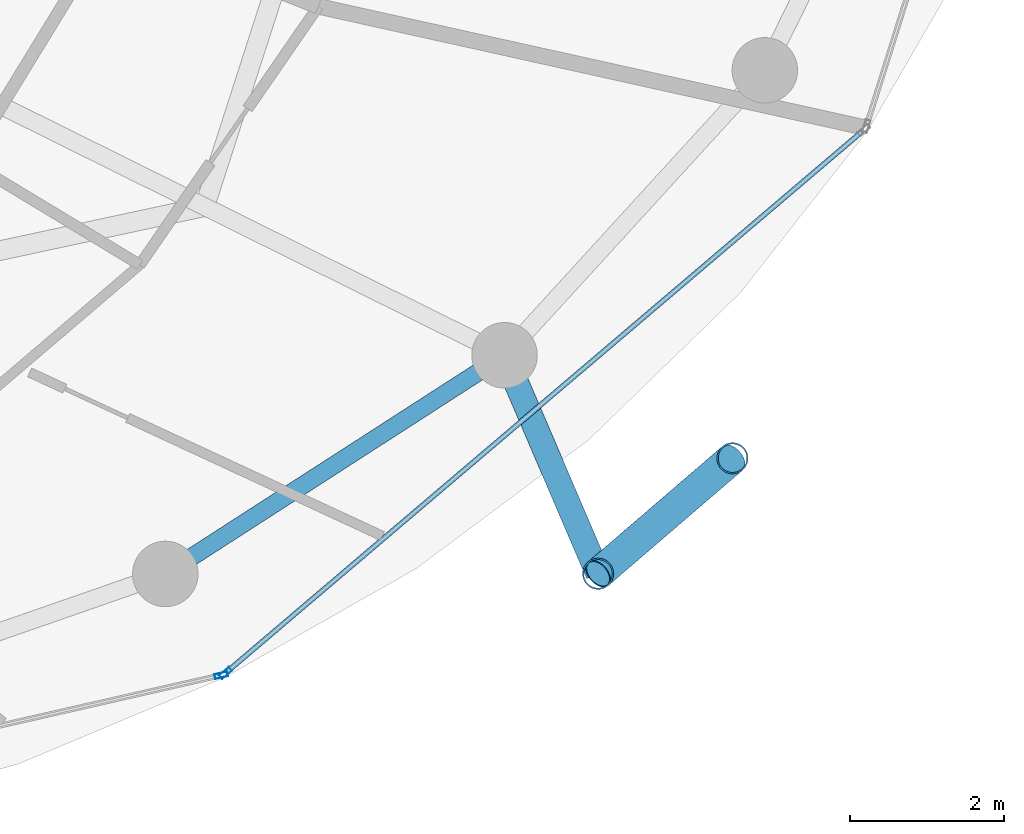
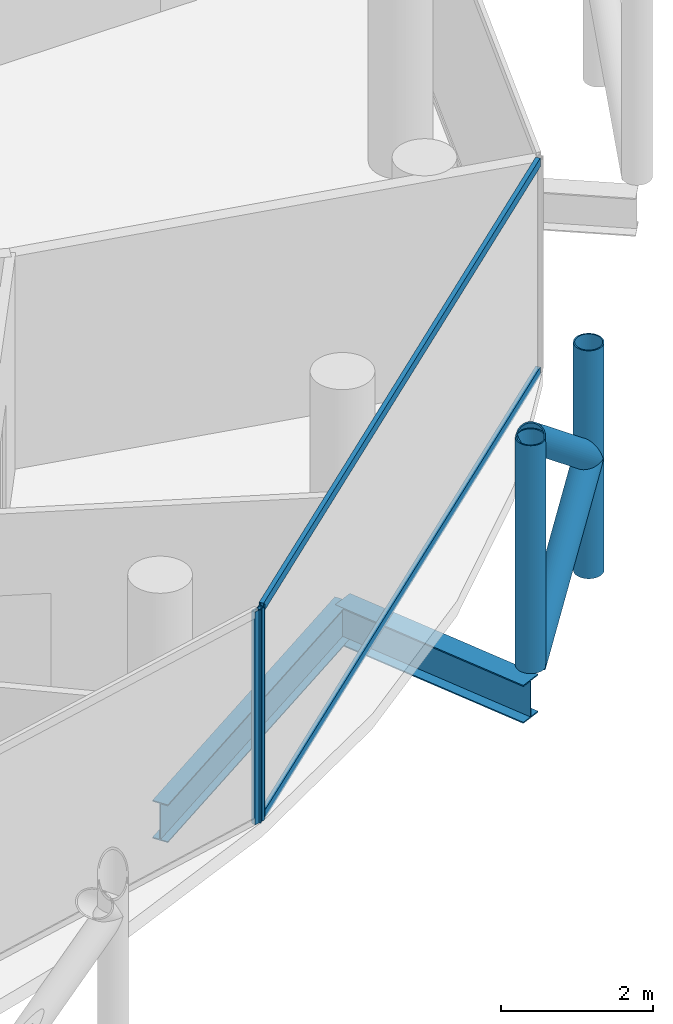
# One storey, part 11 of 27: 8 members, 2 beams, 2 elements without a shape of their own.
"""IFC4 building model written with IfcOpenShell, lengths in metres."""

from ifc_helpers import new_model, si_unit, direction, frame, origin, origin_2d, place, context, subcontext, project, spatial, hollow_rectangle, hollow_circle, i_section, extrude, material, layer, layer_set, material_profile, profile_set, type_object, element, aggregate, save


model = new_model("IFC4")

# Units and contexts
model_context = context("Model", 3, precision=1e-05, world=origin(), true_north=direction((0.0, 1.0)))
body_context = subcontext(model_context, "Body", "Model", "MODEL_VIEW")
ifc_project = project(units=[si_unit("LENGTHUNIT", "METRE"), si_unit("AREAUNIT", "SQUARE_METRE"), si_unit("VOLUMEUNIT", "CUBIC_METRE"), si_unit("PLANEANGLEUNIT", "RADIAN"), si_unit("MASSUNIT", "GRAM", prefix="KILO")], contexts=[model_context])

# Site, building, storey
site_placement = place(None, origin())
site = spatial("IfcSite", under=ifc_project, at=site_placement, CompositionType="ELEMENT")
building_placement = place(site_placement, origin())
building = spatial("IfcBuilding", under=site, at=building_placement, Name="Nuhasar Tower", CompositionType="ELEMENT")
storey_placement = place(building_placement, frame((0.0, 0.0, 233.699951171875)))
storey = spatial("IfcBuildingStorey", under=building, at=storey_placement, Name="L57", CompositionType="ELEMENT", Elevation=233.699951171875)

# Beams
ifc_material_1 = material(Name="Steel S355", Category="steel")
ifc_material_profile_1 = material_profile(ifc_material_1, i_section(OverallWidth=0.22802734375, OverallDepth=0.60791015625, WebThickness=0.01123046875, FlangeThickness=0.017333984375, at=origin_2d()), Name="W24X76")
ifc_profile_set_1 = profile_set([ifc_material_profile_1], Name="Steel S355")
beam_type_1 = type_object("IfcBeamType", Name="BM-RING-W24X76", PredefinedType="SPANDREL", material=ifc_profile_set_1)
beam_1_placement = place(storey_placement, frame((49.625, 11.341064453125, -0.5439453125), z_axis=(0.840502144969, 0.541808217272, 0.0), x_axis=(-0.541808217272, 0.840502144969, 0.0)))
element("IfcBeam", 1, at=beam_1_placement, inside=storey, type_object=beam_type_1, Name="L57 Perimeter Ring Spandrel 21", PredefinedType="SPANDREL", context=body_context, shape_type="SweptSolid", body=[
    extrude(i_section(OverallWidth=0.22802734375, OverallDepth=0.60791015625, WebThickness=0.01123046875, FlangeThickness=0.017333984375, at=origin_2d()), origin(), (0.0, 0.0, 1.0), 5.236083984375),
])
ifc_material_profile_2 = material_profile(ifc_material_1, i_section(OverallWidth=0.323974609375, OverallDepth=0.611083984375, WebThickness=0.0126953125, FlangeThickness=0.01904296875, at=origin_2d()), Name="W24X104")
ifc_profile_set_2 = profile_set([ifc_material_profile_2], Name="Steel S355")
beam_type_2 = type_object("IfcBeamType", Name="BM-TIE-W24X104", PredefinedType="BEAM", material=ifc_profile_set_2)
beam_2_placement = place(storey_placement, frame((54.02587890625, 14.177978515625, -0.544921875), z_axis=(0.393680429682, -0.919247365667, 0.0), x_axis=(0.919247365667, 0.393680429682, 0.0)))
element("IfcBeam", 2, at=beam_2_placement, inside=storey, type_object=beam_type_2, Name="L57 Exoskeleton Node Tie Beam 11", PredefinedType="BEAM", context=body_context, shape_type="SweptSolid", body=[
    extrude(i_section(OverallWidth=0.323974609375, OverallDepth=0.611083984375, WebThickness=0.0126953125, FlangeThickness=0.01904296875, at=origin_2d()), origin(), (0.0, 0.0, 1.0), 3.083984375),
])

# Curtain wall, member
ifc_material_2 = material(Name="Aluminium 6063-T6", Category="aluminium")
ifc_layer = layer(ifc_material_2, 0.18994140625)
ifc_layer_set = layer_set([ifc_layer], Name="Aluminium 6063-T6")
curtain_wall_type = type_object("IfcCurtainWallType", Name="CW-Z3-RES", PredefinedType="NOTDEFINED", material=ifc_layer_set)
curtain_wall_1_placement = place(storey_placement, origin())
curtain_wall_1 = element("IfcCurtainWall", 3, at=curtain_wall_1_placement, inside=storey, type_object=curtain_wall_type, Name="L57 Unitised Curtain Wall 10", PredefinedType="NOTDEFINED")
ifc_material_profile_3 = material_profile(ifc_material_2, hollow_rectangle(XDim=0.06494140625, YDim=0.169921875, WallThickness=0.0048828125, at=origin_2d()), Name="CWM-4")
ifc_profile_set_3 = profile_set([ifc_material_profile_3], Name="Aluminium 6063-T6")
member_type_1 = type_object("IfcMemberType", Name="CW-MUL-S4", PredefinedType="MULLION", material=ifc_profile_set_3)
member_1_placement = place(storey_placement, frame((50.348388671875, 10.02685546875, 0.0), z_axis=(0.0, 0.0, 1.0), x_axis=(-0.222243176313, 0.974991266926, 0.0)))
member_1 = element("IfcMember", 4, at=member_1_placement, type_object=member_type_1, Name="CW-Z3 mullion 2", PredefinedType="MULLION", context=body_context, shape_type="SweptSolid", body=[
    extrude(hollow_rectangle(XDim=0.06494140625, YDim=0.169921875, WallThickness=0.0048828125, at=origin_2d()), origin(), (0.0, 0.0, 1.0), 3.41015625),
])
aggregate(curtain_wall_1, [member_1])

# Curtain wall, members
curtain_wall_2_placement = place(storey_placement, origin())
curtain_wall_2 = element("IfcCurtainWall", 5, at=curtain_wall_2_placement, inside=storey, type_object=curtain_wall_type, Name="L57 Unitised Curtain Wall 11", PredefinedType="NOTDEFINED")
member_2_placement = place(storey_placement, frame((50.40478515625, 10.05517578125, 0.0), z_axis=(0.0, 0.0, 1.0), x_axis=(-0.64789521578, 0.761729472562, 0.0)))
member_2 = element("IfcMember", 6, at=member_2_placement, type_object=member_type_1, Name="CW-Z3 mullion 1", PredefinedType="MULLION", context=body_context, shape_type="SweptSolid", body=[
    extrude(hollow_rectangle(XDim=0.06494140625, YDim=0.169921875, WallThickness=0.0048828125, at=origin_2d()), origin(), (0.0, 0.0, 1.0), 3.41015625),
])
ifc_material_profile_4 = material_profile(ifc_material_2, hollow_rectangle(XDim=0.06494140625, YDim=0.139892578125, WallThickness=0.00439453125, at=origin_2d()), Name="CWT-4")
ifc_profile_set_4 = profile_set([ifc_material_profile_4], Name="Aluminium 6063-T6")
member_type_2 = type_object("IfcMemberType", Name="CW-TRN-S4", PredefinedType="USERDEFINED", material=ifc_profile_set_4)
member_3_placement = place(storey_placement, frame((50.429443359375, 10.076171875, 0.032470703125), z_axis=(0.761730809511, 0.647893643928, 0.0), x_axis=(-0.647893643928, 0.761730809511, 0.0)))
member_3 = element("IfcMember", 7, at=member_3_placement, type_object=member_type_2, Name="CW-Z3 transom 1.1", ObjectType="TRANSOM", PredefinedType="USERDEFINED", context=body_context, shape_type="SweptSolid", body=[
    extrude(hollow_rectangle(XDim=0.06494140625, YDim=0.139892578125, WallThickness=0.00439453125, at=origin_2d()), origin(), (0.0, 0.0, 1.0), 10.806884765625),
])
member_4_placement = place(storey_placement, frame((50.429443359375, 10.076171875, 3.37744140625), z_axis=(0.761730809511, 0.647893643928, 0.0), x_axis=(-0.647893643928, 0.761730809511, 0.0)))
member_4 = element("IfcMember", 8, at=member_4_placement, type_object=member_type_2, Name="CW-Z3 transom 1.2", ObjectType="TRANSOM", PredefinedType="USERDEFINED", context=body_context, shape_type="SweptSolid", body=[
    extrude(hollow_rectangle(XDim=0.06494140625, YDim=0.139892578125, WallThickness=0.00439453125, at=origin_2d()), origin(), (0.0, 0.0, 1.0), 10.806884765625),
])
aggregate(curtain_wall_2, [member_2, member_3, member_4])

# Members
ifc_material_3 = material(Name="Steel S460", Category="steel")
ifc_material_profile_5 = material_profile(ifc_material_3, hollow_circle(Radius=0.203125, WallThickness=0.01904296875, at=origin_2d()), Name="HSS406.4X19.1")
ifc_profile_set_5 = profile_set([ifc_material_profile_5], Name="Steel S460")
member_type_3 = type_object("IfcMemberType", Name="EXO-BRONZE-406", PredefinedType="BRACE", material=ifc_profile_set_5)
for number, where, z_axis, x_axis, name in (
    (9, (55.239990234375, 11.343017578125, 0.0), (0.0, 0.0, 1.0), (1.0, 0.0, 0.0), "L57 Exoskeleton Chord Column EC-11A"),
    (10, (56.98388671875, 12.842041015625, 0.0), (0.0, 0.0, 1.0), (1.0, 0.0, 0.0), "L57 Exoskeleton Chord Column EC-11B"),
):
    element("IfcMember", number, at=place(storey_placement, frame(where, z_axis=z_axis, x_axis=x_axis)), inside=storey, type_object=member_type_3, Name=name, PredefinedType="BRACE", context=body_context, shape_type="SweptSolid", body=[
        extrude(hollow_circle(Radius=0.203125, WallThickness=0.01904296875, at=origin_2d()), origin(), (0.0, 0.0, 1.0), 3.650146484375),
    ])
for number, where, z_axis, x_axis, name in (
    (11, (55.239990234375, 11.343017578125, 0.0), (0.594018535389, 0.510608120858, 0.621627964725), (-0.65185738425, 0.758341579104, 0.0), "L57 Bronze Diagrid Brace W1-11"),
    (12, (56.98388671875, 12.842041015625, 1.824951171875), (-0.593987827832, -0.51058172517, 0.621678986543), (0.65185738425, -0.758341579104, 0.0), "L57 Bronze Diagrid Brace W2-11"),
):
    element("IfcMember", number, at=place(storey_placement, frame(where, z_axis=z_axis, x_axis=x_axis)), inside=storey, type_object=member_type_3, Name=name, PredefinedType="BRACE", context=body_context, shape_type="SweptSolid", body=[
        extrude(hollow_circle(Radius=0.203125, WallThickness=0.01904296875, at=origin_2d()), origin(), (0.0, 0.0, 1.0), 2.935791015625),
    ])

save(model, "model.ifc")
